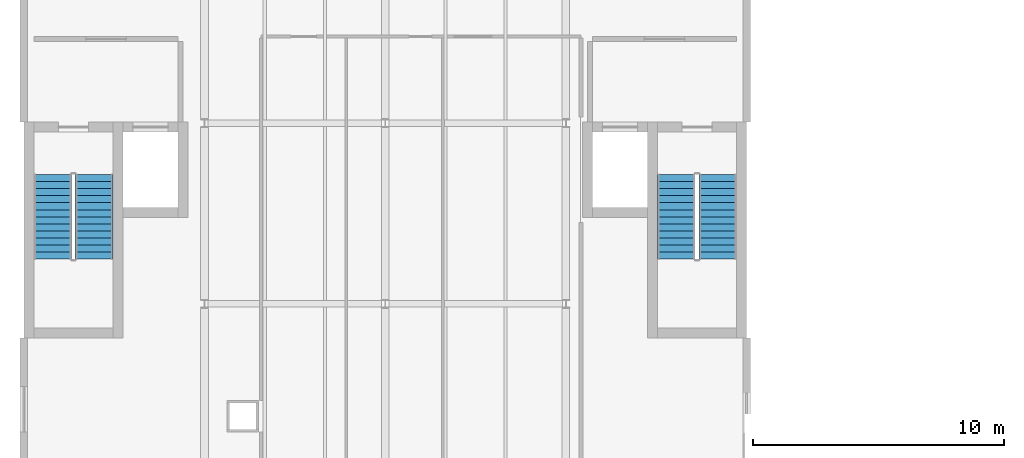
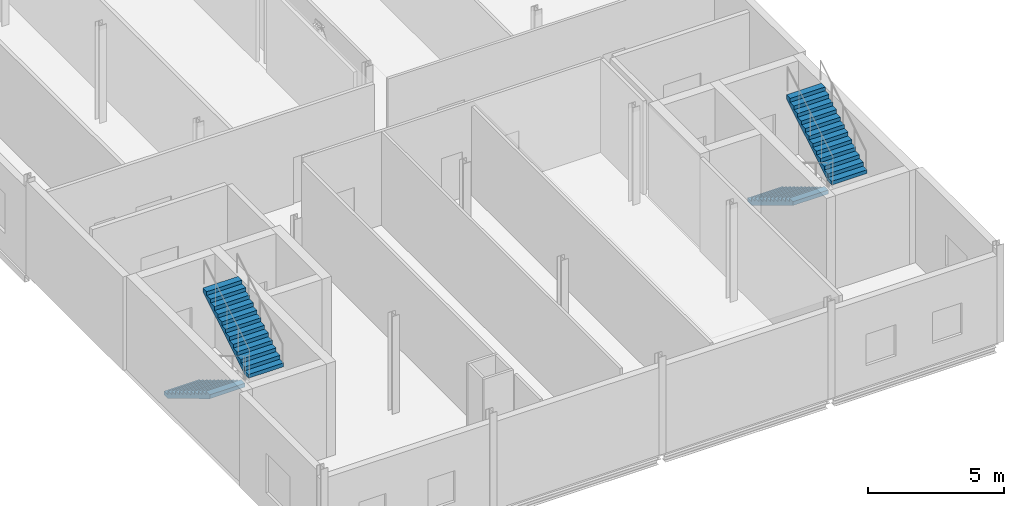
# One storey, part 18 of 21: 4 stair flights, 2 elements without a shape of their own.
"""IFC4 building model written with IfcOpenShell, lengths in metres."""

import ifcopenshell
import ifcopenshell.guid

model = None  # the IFC model being written
_history = None  # IfcOwnerHistory: only IFC2X3 demands one
_inside = {}  # id of a spatial element -> (the spatial element, [elements in it])
_under = {}  # id of a project, library or spatial element -> (it, [spatial elements below it])
_declared = {}  # id of a project -> (the project, [libraries it declares])
_typed = {}  # id of a type object -> (the type object, [elements of that type])
_made_of = {}  # id of a material, layer set ... -> (it, [elements and type objects made of it])


def new_model(schema):
    """Start an empty IFC model of exactly this schema.

    Asked for "IFC4X3", IfcOpenShell would pick the latest addendum, in which some entities
    have other attributes; the version numbers below select the first issue.
    IFC2X3 requires an IfcOwnerHistory on every rooted entity: one is made here for all.
    """
    global model, _history
    if schema == "IFC4X3":
        model = ifcopenshell.file(schema_version=(4, 3, 0, 0))
    else:
        model = ifcopenshell.file(schema=schema)
    _inside.clear()
    _under.clear()
    _declared.clear()
    _typed.clear()
    _made_of.clear()
    _history = None
    if model.schema == "IFC2X3":
        org = make("IfcOrganization", Name="unknown")
        user = make(
            "IfcPersonAndOrganization",
            ThePerson=make("IfcPerson", FamilyName="unknown"),
            TheOrganization=org,
        )
        app = make(
            "IfcApplication",
            ApplicationDeveloper=org,
            Version="unknown",
            ApplicationFullName="unknown",
            ApplicationIdentifier="unknown",
        )
        _history = make(
            "IfcOwnerHistory",
            OwningUser=user,
            OwningApplication=app,
            ChangeAction="ADDED",
            CreationDate=0,
        )
    return model


def make(cls, **values):
    """One entity of the class cls with the attributes given. An attribute that is None is left unset."""
    return model.create_entity(
        cls, **{name: value for name, value in values.items() if value is not None}
    )


def rooted(cls, **values):
    """An entity with a GlobalId (a new one), such as an element, a storey or a relation."""
    return make(cls, GlobalId=ifcopenshell.guid.new(), OwnerHistory=_history, **values)


def si_unit(unit_type, name, prefix=None):
    """IfcSIUnit, for example si_unit("LENGTHUNIT", "METRE", prefix="MILLI")."""
    return make("IfcSIUnit", UnitType=unit_type, Prefix=prefix, Name=name)


def assignment(units):
    """IfcUnitAssignment: the units of a project."""
    return None if units is None else make("IfcUnitAssignment", Units=units)


def point(xyz):
    """IfcCartesianPoint."""
    return None if xyz is None else make("IfcCartesianPoint", Coordinates=xyz)


def direction(xyz):
    """IfcDirection."""
    return None if xyz is None else make("IfcDirection", DirectionRatios=xyz)


def frame(location, z_axis=None, x_axis=None):
    """IfcAxis2Placement3D, a coordinate frame: its origin and axes. An axis left out is left unset."""
    return make(
        "IfcAxis2Placement3D",
        Location=point(location),
        Axis=direction(z_axis),
        RefDirection=direction(x_axis),
    )


def origin():
    """The frame at (0, 0, 0) with its axes left unset."""
    return frame((0.0, 0.0, 0.0))


def place(relative_to, where):
    """IfcLocalPlacement: puts the frame where relative to a parent placement (None: the world)."""
    return make(
        "IfcLocalPlacement", PlacementRelTo=relative_to, RelativePlacement=where
    )


def context(
    kind, dimensions, precision=None, world=None, true_north=None, identifier=None
):
    """IfcGeometricRepresentationContext, for example the 3D "Model" context."""
    return make(
        "IfcGeometricRepresentationContext",
        ContextIdentifier=identifier,
        ContextType=kind,
        CoordinateSpaceDimension=dimensions,
        Precision=precision,
        WorldCoordinateSystem=world,
        TrueNorth=true_north,
    )


def subcontext(parent, identifier, kind, view, scale=None):
    """IfcGeometricRepresentationSubContext, for example "Body" below "Model"."""
    return make(
        "IfcGeometricRepresentationSubContext",
        ContextIdentifier=identifier,
        ContextType=kind,
        ParentContext=parent,
        TargetScale=scale,
        TargetView=view,
    )


def project(units=None, contexts=None):
    """IfcProject with its units and contexts."""
    return rooted(
        "IfcProject",
        Name="project",
        RepresentationContexts=contexts,
        UnitsInContext=assignment(units),
    )


def spatial(cls, under=None, at=None, **own):
    """A site, building, storey or space (cls), placed at a placement, below another one or the project."""
    s = rooted(cls, ObjectPlacement=at, **own)
    if under is not None:
        _under.setdefault(under.id(), (under, []))[1].append(s)
    return s


def polyline(points):
    """IfcPolyline through the points."""
    return make("IfcPolyline", Points=[point(p) for p in points])


def outline(outer, holes=None, kind="AREA"):
    """IfcArbitraryClosedProfileDef: a profile drawn as a closed curve; with holes, ...WithVoids."""
    if holes is None:
        return make("IfcArbitraryClosedProfileDef", ProfileType=kind, OuterCurve=outer)
    return make(
        "IfcArbitraryProfileDefWithVoids",
        ProfileType=kind,
        OuterCurve=outer,
        InnerCurves=holes,
    )


def extrude(swept, where, along, depth):
    """IfcExtrudedAreaSolid: the profile swept, set in the frame where, extruded along a direction by depth."""
    return make(
        "IfcExtrudedAreaSolid",
        SweptArea=swept,
        Position=where,
        ExtrudedDirection=direction(along),
        Depth=depth,
    )


def shape(context_of_items, identifier, shape_type, items):
    """IfcShapeRepresentation: the items that make up one representation, for example the "Body"."""
    return make(
        "IfcShapeRepresentation",
        ContextOfItems=context_of_items,
        RepresentationIdentifier=identifier,
        RepresentationType=shape_type,
        Items=items,
    )


def material(Name=None, Category=None):
    """IfcMaterial."""
    return make("IfcMaterial", Name=Name, Category=Category)


def made_of(thing, what):
    """Note that an element or type object is made of a material, layer set ...; save() writes the relation."""
    if what is not None:
        _made_of.setdefault(what.id(), (what, []))[1].append(thing)
    return thing


def type_object(cls, material=None, **own):
    """A type object (cls), such as IfcWallType, which elements share."""
    return made_of(rooted(cls, **own), material)


def element(
    cls,
    number,
    at=None,
    inside=None,
    cuts=None,
    type_object=None,
    material=None,
    context=None,
    identifier="Body",
    shape_type=None,
    held_by="IfcProductDefinitionShape",
    body=None,
    shapes=None,
    **own,
):
    """One element of the class cls, such as IfcWall. Its Tag is "e" and its number.

    at: its placement. inside: the storey or other place that contains it. cuts: it is an
    opening in that element (IfcRelVoidsElement). A single representation is given by context,
    identifier, shape_type and body (its items); several are given by shapes. held_by: the class
    of the entity that holds the representations. save() writes the other relations.
    """
    e = rooted(cls, Tag="e%d" % number, ObjectPlacement=at, **own)
    if body is not None:
        shapes = [shape(context, identifier, shape_type, body)]
    if shapes is not None:
        e.Representation = make(held_by, Representations=shapes)
    if inside is not None:
        _inside.setdefault(inside.id(), (inside, []))[1].append(e)
    if cuts is not None:
        rooted(
            "IfcRelVoidsElement", RelatingBuildingElement=cuts, RelatedOpeningElement=e
        )
    if type_object is not None:
        _typed.setdefault(type_object.id(), (type_object, []))[1].append(e)
    return made_of(e, material)


def aggregate(whole, parts):
    """IfcRelAggregates: a whole, such as a stair, and the parts it consists of."""
    return rooted("IfcRelAggregates", RelatingObject=whole, RelatedObjects=parts)


def save(model, path):
    """Write the relations noted so far, then the file.

    IfcRelAggregates (storeys below a building ...), IfcRelContainedInSpatialStructure (elements
    in a storey), IfcRelDefinesByType, IfcRelAssociatesMaterial and IfcRelDeclares: one each for
    every whole, place, type object, material and project.
    """
    for whole, parts in _under.values():
        aggregate(whole, parts)
    for where, things in _inside.values():
        rooted(
            "IfcRelContainedInSpatialStructure",
            RelatedElements=things,
            RelatingStructure=where,
        )
    for kind, things in _typed.values():
        rooted("IfcRelDefinesByType", RelatedObjects=things, RelatingType=kind)
    for what, things in _made_of.values():
        rooted("IfcRelAssociatesMaterial", RelatedObjects=things, RelatingMaterial=what)
    for by, libraries in _declared.values():
        rooted("IfcRelDeclares", RelatingContext=by, RelatedDefinitions=libraries)
    model.write(path)


model = new_model("IFC4")

# Units and contexts
model_context = context("Model", 3, precision=1e-05, world=origin(), true_north=direction((0.0, 1.0)))
body_context = subcontext(model_context, "Body", "Model", "MODEL_VIEW")
ifc_project = project(units=[si_unit("LENGTHUNIT", "METRE"), si_unit("AREAUNIT", "SQUARE_METRE"), si_unit("VOLUMEUNIT", "CUBIC_METRE"), si_unit("PLANEANGLEUNIT", "RADIAN"), si_unit("MASSUNIT", "GRAM", prefix="KILO")], contexts=[model_context])

# Site, building, storey
site_placement = place(None, origin())
site = spatial("IfcSite", under=ifc_project, at=site_placement, CompositionType="ELEMENT")
building_placement = place(site_placement, origin())
building = spatial("IfcBuilding", under=site, at=building_placement, Name="Zarrinpeak Specialist Clinic", CompositionType="ELEMENT")
storey_placement = place(building_placement, frame((0.0, 0.0, 22.800048828125)))
storey = spatial("IfcBuildingStorey", under=building, at=storey_placement, Name="L05", CompositionType="ELEMENT", Elevation=22.800048828125)

# Stair, stair flights
ifc_material = material(Name="Concrete C35/45", Category="concrete")
stair_type = type_object("IfcStairType", Name="ST-DOG", PredefinedType="HALF_TURN_STAIR", material=ifc_material)
stair_1_placement = place(storey_placement, origin())
stair_1 = element("IfcStair", 1, at=stair_1_placement, inside=storey, type_object=stair_type, Name="L05 Protected Exit Stair ST-01", PredefinedType="HALF_TURN_STAIR")
stair_flight_type = type_object("IfcStairFlightType", Name="STF-150", PredefinedType="STRAIGHT", material=ifc_material)
stair_flight_1_placement = place(storey_placement, frame((1.14990234375, 12.35009765625, 0.0), z_axis=(0.0, 0.0, 1.0), x_axis=(0.0, -1.0, 0.0)))
stair_flight_1 = element("IfcStairFlight", 2, at=stair_flight_1_placement, type_object=stair_flight_type, Name="ST-01 flight 1", NumberOfRisers=13, NumberOfTreads=12, PredefinedType="STRAIGHT", RiserHeight=0.169230769, TreadLength=0.28, context=body_context, shape_type="SweptSolid", body=[
    extrude(outline(polyline([(0.0, 0.0), (0.0, 0.169189453125), (0.280029296875, 0.169189453125), (0.280029296875, 0.33837890625), (0.56005859375, 0.33837890625), (0.56005859375, 0.5078125), (0.840087890625, 0.5078125), (0.840087890625, 0.677001953125), (1.1201171875, 0.677001953125), (1.1201171875, 0.84619140625), (1.39990234375, 0.84619140625), (1.39990234375, 1.015380859375), (1.679931640625, 1.015380859375), (1.679931640625, 1.1845703125), (1.9599609375, 1.1845703125), (1.9599609375, 1.353759765625), (2.239990234375, 1.353759765625), (2.239990234375, 1.523193359375), (2.52001953125, 1.523193359375), (2.52001953125, 1.6923828125), (2.800048828125, 1.6923828125), (2.800048828125, 1.861572265625), (3.080078125, 1.861572265625), (3.080078125, 2.03076171875), (3.360107421875, 2.03076171875), (3.360107421875, 2.199951171875), (3.360107421875, 1.855712890625), (0.289794921875, 0.0), (0.0, 0.0)])), frame((0.0, 0.75, 0.0), z_axis=(0.0, -1.0, 0.0), x_axis=(1.0, 0.0, 0.0)), (0.0, 0.0, 1.0), 1.5),
])
stair_flight_2_placement = place(storey_placement, frame((2.800048828125, 8.989990234375, 2.199951171875), z_axis=(0.0, 0.0, 1.0), x_axis=(0.0, 1.0, 0.0)))
stair_flight_2 = element("IfcStairFlight", 3, at=stair_flight_2_placement, type_object=stair_flight_type, Name="ST-01 flight 2", NumberOfRisers=13, NumberOfTreads=12, PredefinedType="STRAIGHT", RiserHeight=0.169230769, TreadLength=0.28, context=body_context, shape_type="SweptSolid", body=[
    extrude(outline(polyline([(0.0, 0.0), (0.0, 0.169189453125), (0.280029296875, 0.169189453125), (0.280029296875, 0.33837890625), (0.56005859375, 0.33837890625), (0.56005859375, 0.5078125), (0.840087890625, 0.5078125), (0.840087890625, 0.677001953125), (1.1201171875, 0.677001953125), (1.1201171875, 0.84619140625), (1.39990234375, 0.84619140625), (1.39990234375, 1.015380859375), (1.679931640625, 1.015380859375), (1.679931640625, 1.1845703125), (1.9599609375, 1.1845703125), (1.9599609375, 1.353759765625), (2.239990234375, 1.353759765625), (2.239990234375, 1.523193359375), (2.52001953125, 1.523193359375), (2.52001953125, 1.6923828125), (2.800048828125, 1.6923828125), (2.800048828125, 1.861572265625), (3.080078125, 1.861572265625), (3.080078125, 2.03076171875), (3.360107421875, 2.03076171875), (3.360107421875, 2.199951171875), (3.360107421875, 1.855712890625), (0.289794921875, 0.0), (0.0, 0.0)])), frame((0.0, 0.75, 0.0), z_axis=(0.0, -1.0, 0.0), x_axis=(1.0, 0.0, 0.0)), (0.0, 0.0, 1.0), 1.5),
])
aggregate(stair_1, [stair_flight_1, stair_flight_2])

stair_2_placement = place(storey_placement, origin())
stair_2 = element("IfcStair", 4, at=stair_2_placement, inside=storey, type_object=stair_type, Name="L05 Protected Exit Stair ST-02", PredefinedType="HALF_TURN_STAIR")
stair_flight_3_placement = place(storey_placement, frame((26.0, 12.35009765625, 0.0), z_axis=(0.0, 0.0, 1.0), x_axis=(0.0, -1.0, 0.0)))
stair_flight_3 = element("IfcStairFlight", 5, at=stair_flight_3_placement, type_object=stair_flight_type, Name="ST-02 flight 1", NumberOfRisers=13, NumberOfTreads=12, PredefinedType="STRAIGHT", RiserHeight=0.169230769, TreadLength=0.28, context=body_context, shape_type="SweptSolid", body=[
    extrude(outline(polyline([(0.0, 0.0), (0.0, 0.169189453125), (0.280029296875, 0.169189453125), (0.280029296875, 0.33837890625), (0.56005859375, 0.33837890625), (0.56005859375, 0.5078125), (0.840087890625, 0.5078125), (0.840087890625, 0.677001953125), (1.1201171875, 0.677001953125), (1.1201171875, 0.84619140625), (1.39990234375, 0.84619140625), (1.39990234375, 1.015380859375), (1.679931640625, 1.015380859375), (1.679931640625, 1.1845703125), (1.9599609375, 1.1845703125), (1.9599609375, 1.353759765625), (2.239990234375, 1.353759765625), (2.239990234375, 1.523193359375), (2.52001953125, 1.523193359375), (2.52001953125, 1.6923828125), (2.800048828125, 1.6923828125), (2.800048828125, 1.861572265625), (3.080078125, 1.861572265625), (3.080078125, 2.03076171875), (3.360107421875, 2.03076171875), (3.360107421875, 2.199951171875), (3.360107421875, 1.855712890625), (0.289794921875, 0.0), (0.0, 0.0)])), frame((0.0, 0.75, 0.0), z_axis=(0.0, -1.0, 0.0), x_axis=(1.0, 0.0, 0.0)), (0.0, 0.0, 1.0), 1.5),
])
stair_flight_4_placement = place(storey_placement, frame((27.64990234375, 8.989990234375, 2.199951171875), z_axis=(0.0, 0.0, 1.0), x_axis=(0.0, 1.0, 0.0)))
stair_flight_4 = element("IfcStairFlight", 6, at=stair_flight_4_placement, type_object=stair_flight_type, Name="ST-02 flight 2", NumberOfRisers=13, NumberOfTreads=12, PredefinedType="STRAIGHT", RiserHeight=0.169230769, TreadLength=0.28, context=body_context, shape_type="SweptSolid", body=[
    extrude(outline(polyline([(0.0, 0.0), (0.0, 0.169189453125), (0.280029296875, 0.169189453125), (0.280029296875, 0.33837890625), (0.56005859375, 0.33837890625), (0.56005859375, 0.5078125), (0.840087890625, 0.5078125), (0.840087890625, 0.677001953125), (1.1201171875, 0.677001953125), (1.1201171875, 0.84619140625), (1.39990234375, 0.84619140625), (1.39990234375, 1.015380859375), (1.679931640625, 1.015380859375), (1.679931640625, 1.1845703125), (1.9599609375, 1.1845703125), (1.9599609375, 1.353759765625), (2.239990234375, 1.353759765625), (2.239990234375, 1.523193359375), (2.52001953125, 1.523193359375), (2.52001953125, 1.6923828125), (2.800048828125, 1.6923828125), (2.800048828125, 1.861572265625), (3.080078125, 1.861572265625), (3.080078125, 2.03076171875), (3.360107421875, 2.03076171875), (3.360107421875, 2.199951171875), (3.360107421875, 1.855712890625), (0.289794921875, 0.0), (0.0, 0.0)])), frame((0.0, 0.75, 0.0), z_axis=(0.0, -1.0, 0.0), x_axis=(1.0, 0.0, 0.0)), (0.0, 0.0, 1.0), 1.5),
])
aggregate(stair_2, [stair_flight_3, stair_flight_4])

save(model, "model.ifc")
